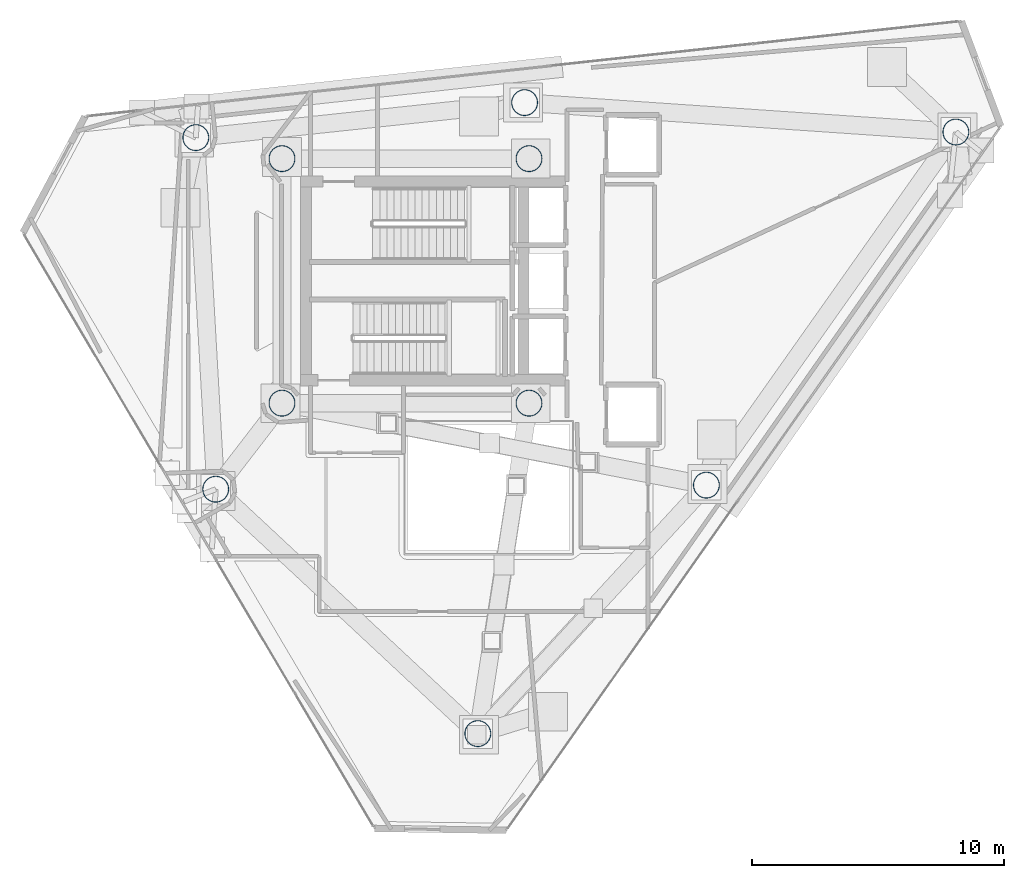
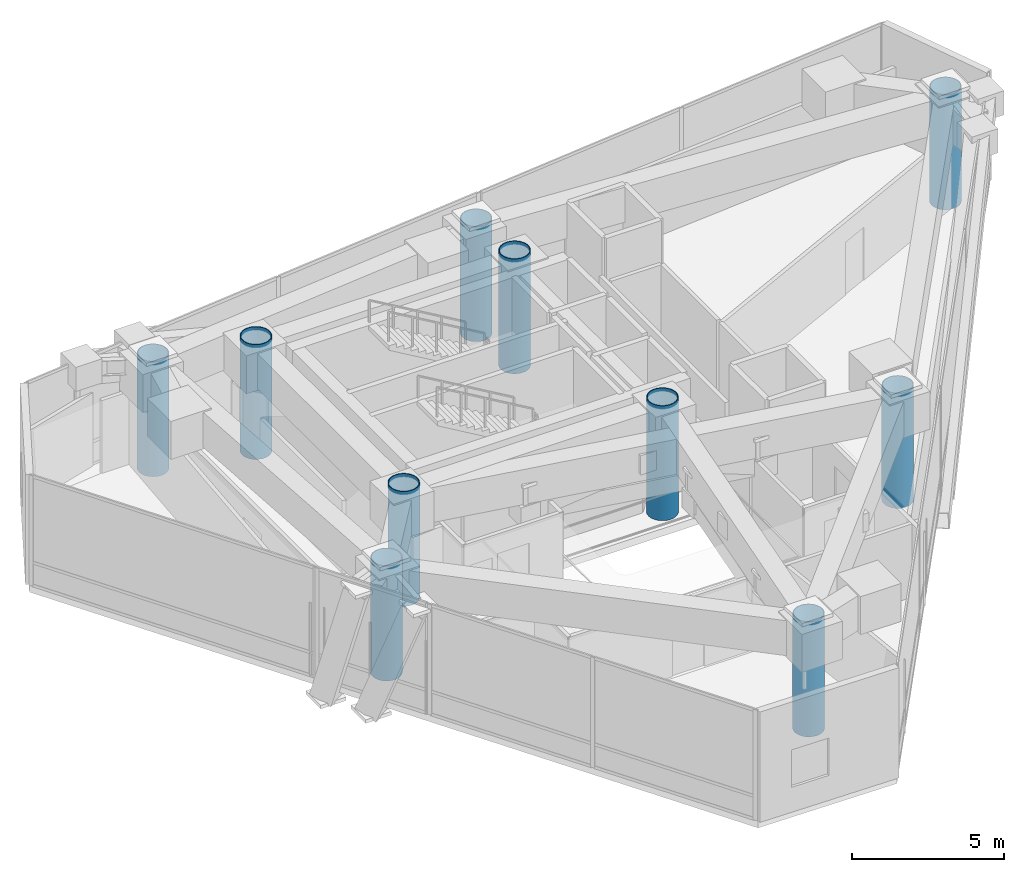
# One storey, part 1 of 21: 10 columns.
"""IFC4 building model written with IfcOpenShell, lengths in metres."""

from ifc_helpers import new_model, si_unit, direction, frame, origin, origin_2d, place, context, subcontext, project, spatial, hollow_circle, extrude, material, material_profile, profile_set, type_object, element, save


model = new_model("IFC4")

# Units and contexts
model_context = context("Model", 3, precision=1e-05, world=origin(), true_north=direction((0.0, 1.0)))
body_context = subcontext(model_context, "Body", "Model", "MODEL_VIEW")
ifc_project = project(units=[si_unit("LENGTHUNIT", "METRE"), si_unit("AREAUNIT", "SQUARE_METRE"), si_unit("VOLUMEUNIT", "CUBIC_METRE"), si_unit("PLANEANGLEUNIT", "RADIAN"), si_unit("MASSUNIT", "GRAM", prefix="KILO")], contexts=[model_context])

# Site, building, storey
site_placement = place(None, origin())
site = spatial("IfcSite", under=ifc_project, at=site_placement, CompositionType="ELEMENT")
building_placement = place(site_placement, origin())
building = spatial("IfcBuilding", under=site, at=building_placement, Name="Qianvela Tower", CompositionType="ELEMENT")
storey_placement = place(building_placement, frame((0.0, 0.0, 276.0)))
storey = spatial("IfcBuildingStorey", under=building, at=storey_placement, Name="L71", CompositionType="ELEMENT", Elevation=276.0)

# Columns
ifc_material = material(Name="Steel Q420GJC", Category="steel")
ifc_material_profile = material_profile(ifc_material, hollow_circle(Radius=0.52490234375, WallThickness=0.028076171875, at=origin_2d()), Name="CFT-1050x28")
ifc_profile_set = profile_set([ifc_material_profile], Name="Steel Q420GJC")
column_type = type_object("IfcColumnType", Name="COL-CFT-1050x28", PredefinedType="COLUMN", material=ifc_profile_set)
for number, where, z_axis, x_axis, name in (
    (1, (28.60009765625, 33.550048828125, 0.0), (0.0, 0.0, 1.0), (1.0, 0.0, 0.0), "L71 Core Corner Mega-Column CC-NW"),
    (2, (28.60009765625, 23.85009765625, 0.0), (0.0, 0.0, 1.0), (1.0, 0.0, 0.0), "L71 Core Corner Mega-Column CC-SW"),
    (3, (38.39990234375, 33.550048828125, 0.0), (0.0, 0.0, 1.0), (1.0, 0.0, 0.0), "L71 Core Corner Mega-Column CC-NE"),
    (4, (38.39990234375, 23.85009765625, 0.0), (0.0, 0.0, 1.0), (1.0, 0.0, 0.0), "L71 Core Corner Mega-Column CC-SE"),
    (5, (55.33203125, 34.60498046875, 0.0), (0.0, 0.0, 1.0), (1.0, 0.0, 0.0), "L71 Zone Z6 CFT Mega-Column C1"),
    (6, (38.22509765625, 35.77294921875, 0.0), (0.0, 0.0, 1.0), (1.0, 0.0, 0.0), "L71 Zone Z6 CFT Mega-Column C2"),
    (7, (25.181884765625, 34.384033203125, 0.0), (0.0, 0.0, 1.0), (1.0, 0.0, 0.0), "L71 Zone Z6 CFT Mega-Column C3"),
    (8, (25.971923828125, 20.43701171875, 0.0), (0.0, 0.0, 1.0), (1.0, 0.0, 0.0), "L71 Zone Z6 CFT Mega-Column C4"),
    (9, (36.368896484375, 10.741943359375, 0.0), (0.0, 0.0, 1.0), (1.0, 0.0, 0.0), "L71 Zone Z6 CFT Mega-Column C5"),
    (10, (45.43603515625, 20.597900390625, 0.0), (0.0, 0.0, 1.0), (1.0, 0.0, 0.0), "L71 Zone Z6 CFT Mega-Column C6"),
):
    element("IfcColumn", number, at=place(storey_placement, frame(where, z_axis=z_axis, x_axis=x_axis)), inside=storey, type_object=column_type, Name=name, PredefinedType="COLUMN", context=body_context, shape_type="SweptSolid", body=[
        extrude(hollow_circle(Radius=0.52490234375, WallThickness=0.028076171875, at=origin_2d()), origin(), (0.0, 0.0, 1.0), 4.60009765625),
    ])

save(model, "model.ifc")
